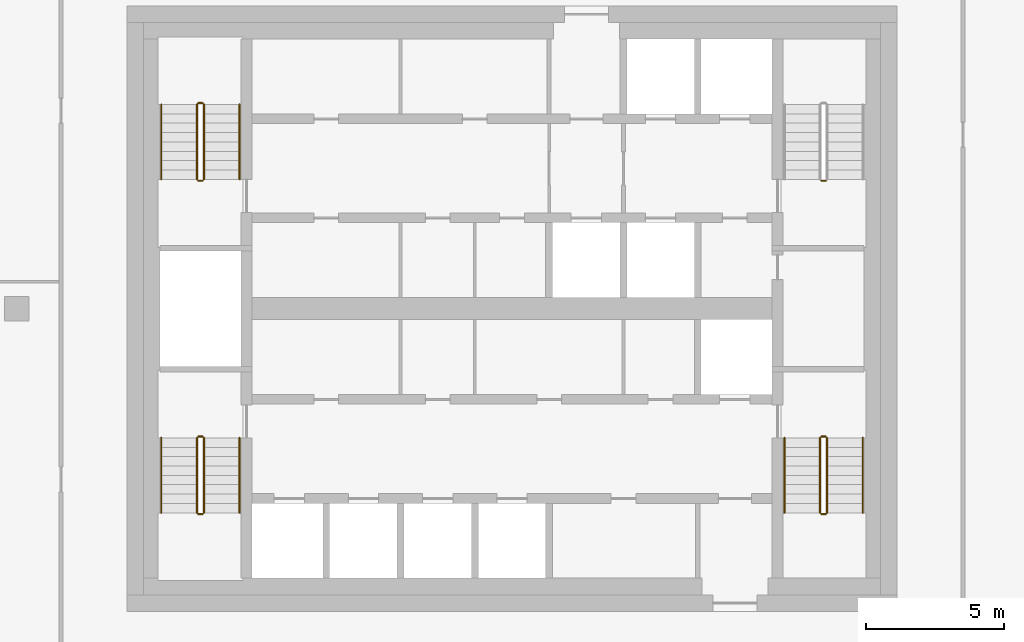
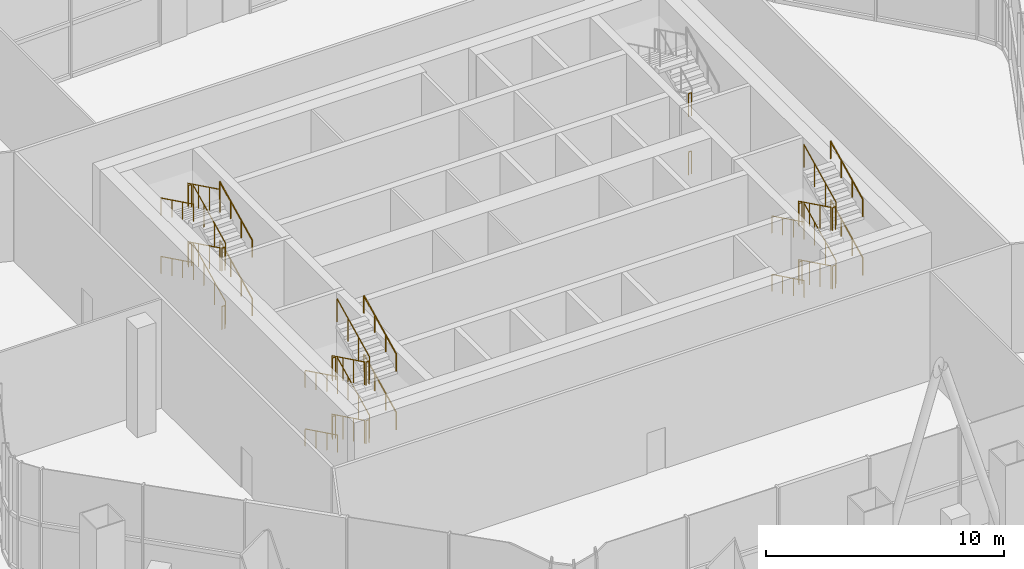
# One storey, part 17 of 20: 38 railings.
"""IFC4 building model written with IfcOpenShell, lengths in metres."""

import ifcopenshell
import ifcopenshell.guid

model = None  # the IFC model being written
_history = None  # IfcOwnerHistory: only IFC2X3 demands one
_inside = {}  # id of a spatial element -> (the spatial element, [elements in it])
_under = {}  # id of a project, library or spatial element -> (it, [spatial elements below it])
_declared = {}  # id of a project -> (the project, [libraries it declares])
_typed = {}  # id of a type object -> (the type object, [elements of that type])
_made_of = {}  # id of a material, layer set ... -> (it, [elements and type objects made of it])


def new_model(schema):
    """Start an empty IFC model of exactly this schema.

    Asked for "IFC4X3", IfcOpenShell would pick the latest addendum, in which some entities
    have other attributes; the version numbers below select the first issue.
    IFC2X3 requires an IfcOwnerHistory on every rooted entity: one is made here for all.
    """
    global model, _history
    if schema == "IFC4X3":
        model = ifcopenshell.file(schema_version=(4, 3, 0, 0))
    else:
        model = ifcopenshell.file(schema=schema)
    _inside.clear()
    _under.clear()
    _declared.clear()
    _typed.clear()
    _made_of.clear()
    _history = None
    if model.schema == "IFC2X3":
        org = make("IfcOrganization", Name="unknown")
        user = make(
            "IfcPersonAndOrganization",
            ThePerson=make("IfcPerson", FamilyName="unknown"),
            TheOrganization=org,
        )
        app = make(
            "IfcApplication",
            ApplicationDeveloper=org,
            Version="unknown",
            ApplicationFullName="unknown",
            ApplicationIdentifier="unknown",
        )
        _history = make(
            "IfcOwnerHistory",
            OwningUser=user,
            OwningApplication=app,
            ChangeAction="ADDED",
            CreationDate=0,
        )
    return model


def make(cls, **values):
    """One entity of the class cls with the attributes given. An attribute that is None is left unset."""
    return model.create_entity(
        cls, **{name: value for name, value in values.items() if value is not None}
    )


def rooted(cls, **values):
    """An entity with a GlobalId (a new one), such as an element, a storey or a relation."""
    return make(cls, GlobalId=ifcopenshell.guid.new(), OwnerHistory=_history, **values)


def si_unit(unit_type, name, prefix=None):
    """IfcSIUnit, for example si_unit("LENGTHUNIT", "METRE", prefix="MILLI")."""
    return make("IfcSIUnit", UnitType=unit_type, Prefix=prefix, Name=name)


def assignment(units):
    """IfcUnitAssignment: the units of a project."""
    return None if units is None else make("IfcUnitAssignment", Units=units)


def point(xyz):
    """IfcCartesianPoint."""
    return None if xyz is None else make("IfcCartesianPoint", Coordinates=xyz)


def direction(xyz):
    """IfcDirection."""
    return None if xyz is None else make("IfcDirection", DirectionRatios=xyz)


def frame(location, z_axis=None, x_axis=None):
    """IfcAxis2Placement3D, a coordinate frame: its origin and axes. An axis left out is left unset."""
    return make(
        "IfcAxis2Placement3D",
        Location=point(location),
        Axis=direction(z_axis),
        RefDirection=direction(x_axis),
    )


def frame_2d(location, x_axis=None):
    """IfcAxis2Placement2D, a coordinate frame in the plane: its origin and x axis."""
    return make(
        "IfcAxis2Placement2D", Location=point(location), RefDirection=direction(x_axis)
    )


def origin():
    """The frame at (0, 0, 0) with its axes left unset."""
    return frame((0.0, 0.0, 0.0))


def origin_2d():
    """The frame at (0, 0) in the plane with its x axis left unset."""
    return frame_2d((0.0, 0.0))


def place(relative_to, where):
    """IfcLocalPlacement: puts the frame where relative to a parent placement (None: the world)."""
    return make(
        "IfcLocalPlacement", PlacementRelTo=relative_to, RelativePlacement=where
    )


def context(
    kind, dimensions, precision=None, world=None, true_north=None, identifier=None
):
    """IfcGeometricRepresentationContext, for example the 3D "Model" context."""
    return make(
        "IfcGeometricRepresentationContext",
        ContextIdentifier=identifier,
        ContextType=kind,
        CoordinateSpaceDimension=dimensions,
        Precision=precision,
        WorldCoordinateSystem=world,
        TrueNorth=true_north,
    )


def subcontext(parent, identifier, kind, view, scale=None):
    """IfcGeometricRepresentationSubContext, for example "Body" below "Model"."""
    return make(
        "IfcGeometricRepresentationSubContext",
        ContextIdentifier=identifier,
        ContextType=kind,
        ParentContext=parent,
        TargetScale=scale,
        TargetView=view,
    )


def project(units=None, contexts=None):
    """IfcProject with its units and contexts."""
    return rooted(
        "IfcProject",
        Name="project",
        RepresentationContexts=contexts,
        UnitsInContext=assignment(units),
    )


def spatial(cls, under=None, at=None, **own):
    """A site, building, storey or space (cls), placed at a placement, below another one or the project."""
    s = rooted(cls, ObjectPlacement=at, **own)
    if under is not None:
        _under.setdefault(under.id(), (under, []))[1].append(s)
    return s


def profile(cls, at=None, kind="AREA", **sizes):
    """A parametric profile (cls). Its sizes go by their IFC names, for example OverallWidth=200.0."""
    return make(cls, ProfileType=kind, Position=at, **sizes)


def circle(**sizes):
    """IfcCircleProfileDef."""
    return profile("IfcCircleProfileDef", **sizes)


def extrude(swept, where, along, depth):
    """IfcExtrudedAreaSolid: the profile swept, set in the frame where, extruded along a direction by depth."""
    return make(
        "IfcExtrudedAreaSolid",
        SweptArea=swept,
        Position=where,
        ExtrudedDirection=direction(along),
        Depth=depth,
    )


def shape(context_of_items, identifier, shape_type, items):
    """IfcShapeRepresentation: the items that make up one representation, for example the "Body"."""
    return make(
        "IfcShapeRepresentation",
        ContextOfItems=context_of_items,
        RepresentationIdentifier=identifier,
        RepresentationType=shape_type,
        Items=items,
    )


def material(Name=None, Category=None):
    """IfcMaterial."""
    return make("IfcMaterial", Name=Name, Category=Category)


def made_of(thing, what):
    """Note that an element or type object is made of a material, layer set ...; save() writes the relation."""
    if what is not None:
        _made_of.setdefault(what.id(), (what, []))[1].append(thing)
    return thing


def type_object(cls, material=None, **own):
    """A type object (cls), such as IfcWallType, which elements share."""
    return made_of(rooted(cls, **own), material)


def element(
    cls,
    number,
    at=None,
    inside=None,
    cuts=None,
    type_object=None,
    material=None,
    context=None,
    identifier="Body",
    shape_type=None,
    held_by="IfcProductDefinitionShape",
    body=None,
    shapes=None,
    **own,
):
    """One element of the class cls, such as IfcWall. Its Tag is "e" and its number.

    at: its placement. inside: the storey or other place that contains it. cuts: it is an
    opening in that element (IfcRelVoidsElement). A single representation is given by context,
    identifier, shape_type and body (its items); several are given by shapes. held_by: the class
    of the entity that holds the representations. save() writes the other relations.
    """
    e = rooted(cls, Tag="e%d" % number, ObjectPlacement=at, **own)
    if body is not None:
        shapes = [shape(context, identifier, shape_type, body)]
    if shapes is not None:
        e.Representation = make(held_by, Representations=shapes)
    if inside is not None:
        _inside.setdefault(inside.id(), (inside, []))[1].append(e)
    if cuts is not None:
        rooted(
            "IfcRelVoidsElement", RelatingBuildingElement=cuts, RelatedOpeningElement=e
        )
    if type_object is not None:
        _typed.setdefault(type_object.id(), (type_object, []))[1].append(e)
    return made_of(e, material)


def aggregate(whole, parts):
    """IfcRelAggregates: a whole, such as a stair, and the parts it consists of."""
    return rooted("IfcRelAggregates", RelatingObject=whole, RelatedObjects=parts)


def save(model, path):
    """Write the relations noted so far, then the file.

    IfcRelAggregates (storeys below a building ...), IfcRelContainedInSpatialStructure (elements
    in a storey), IfcRelDefinesByType, IfcRelAssociatesMaterial and IfcRelDeclares: one each for
    every whole, place, type object, material and project.
    """
    for whole, parts in _under.values():
        aggregate(whole, parts)
    for where, things in _inside.values():
        rooted(
            "IfcRelContainedInSpatialStructure",
            RelatedElements=things,
            RelatingStructure=where,
        )
    for kind, things in _typed.values():
        rooted("IfcRelDefinesByType", RelatedObjects=things, RelatingType=kind)
    for what, things in _made_of.values():
        rooted("IfcRelAssociatesMaterial", RelatedObjects=things, RelatingMaterial=what)
    for by, libraries in _declared.values():
        rooted("IfcRelDeclares", RelatingContext=by, RelatedDefinitions=libraries)
    model.write(path)


model = new_model("IFC4")

# Units and contexts
model_context = context("Model", 3, precision=1e-05, world=origin(), true_north=direction((0.0, 1.0)))
body_context = subcontext(model_context, "Body", "Model", "MODEL_VIEW")
ifc_project = project(units=[si_unit("LENGTHUNIT", "METRE"), si_unit("AREAUNIT", "SQUARE_METRE"), si_unit("VOLUMEUNIT", "CUBIC_METRE"), si_unit("PLANEANGLEUNIT", "RADIAN"), si_unit("MASSUNIT", "GRAM", prefix="KILO")], contexts=[model_context])

# Site, building, storey
site_placement = place(None, origin())
site = spatial("IfcSite", under=ifc_project, at=site_placement, CompositionType="ELEMENT")
building_placement = place(site_placement, origin())
building = spatial("IfcBuilding", under=site, at=building_placement, Name="Dongbaek Canopy Tower", CompositionType="ELEMENT")
storey_placement = place(building_placement, frame((0.0, 0.0, 353.0)))
storey = spatial("IfcBuildingStorey", under=building, at=storey_placement, Name="L76", CompositionType="ELEMENT", Elevation=353.0)

# Railings
ifc_material_1 = material(Name="Stainless steel tube and balusters", Category="steel")
railing_type_1 = type_object("IfcRailingType", Name="Stair guard 1200", PredefinedType="GUARDRAIL", material=ifc_material_1)
for number, where, name in (
    (1, (11.39990234375, 4.64990234375, 3.0), "L76 ST-A stair guard 4"),
    (2, (11.39990234375, 4.64990234375, 0.0), "L76 ST-A stair guard 8"),
):
    element("IfcRailing", number, at=place(storey_placement, frame(where)), inside=storey, type_object=railing_type_1, Name=name, PredefinedType="GUARDRAIL", context=body_context, shape_type="SweptSolid", body=[
        extrude(circle(Radius=0.02392578125, at=origin_2d()), frame((0.0, 0.0, 1.17578125), z_axis=(-1.0, 0.0, 0.0), x_axis=(0.0, -1.0, 0.0)), (0.0, 0.0, 1.0), 0.14990234375),
        extrude(circle(Radius=0.02099609375, at=origin_2d()), origin(), (0.0, 0.0, 1.0), 1.15185546875),
        extrude(circle(Radius=0.02099609375, at=origin_2d()), frame((-0.14990234375, 0.0, 0.0)), (0.0, 0.0, 1.0), 1.15185546875),
    ])
railing_1_placement = place(storey_placement, frame((-11.199951171875, 4.699951171875, 0.166748046875)))
element("IfcRailing", 3, at=railing_1_placement, inside=storey, type_object=railing_type_1, Name="L76 ST-C stair guard 1", PredefinedType="GUARDRAIL", context=body_context, shape_type="SweptSolid", body=[
    extrude(circle(Radius=0.02392578125, at=origin_2d()), frame((0.0, 0.0, 1.17578125), z_axis=(0.0, 0.897929466783, 0.4401393787), x_axis=(-1.0, 0.0, 0.0)), (0.0, 0.0, 1.0), 3.029052734375),
    extrude(circle(Radius=0.02099609375, at=origin_2d()), origin(), (0.0, 0.0, 1.0), 1.15185546875),
    extrude(circle(Radius=0.02099609375, at=origin_2d()), frame((0.0, 0.90673828125, 0.4443359375)), (0.0, 0.0, 1.0), 1.15185546875),
    extrude(circle(Radius=0.02099609375, at=origin_2d()), frame((0.0, 1.813232421875, 0.888916015625)), (0.0, 0.0, 1.0), 1.15185546875),
    extrude(circle(Radius=0.02099609375, at=origin_2d()), frame((0.0, 2.719970703125, 1.333251953125)), (0.0, 0.0, 1.0), 1.15185546875),
])
railing_2_placement = place(storey_placement, frame((-11.25, 7.469970703125, 1.5)))
element("IfcRailing", 4, at=railing_2_placement, inside=storey, type_object=railing_type_1, Name="L76 ST-C stair guard 2", PredefinedType="GUARDRAIL", context=body_context, shape_type="SweptSolid", body=[
    extrude(circle(Radius=0.02392578125, at=origin_2d()), frame((0.0, 0.0, 1.17578125), z_axis=(-1.0, 0.0, 0.0), x_axis=(0.0, -1.0, 0.0)), (0.0, 0.0, 1.0), 0.14990234375),
    extrude(circle(Radius=0.02099609375, at=origin_2d()), origin(), (0.0, 0.0, 1.0), 1.15185546875),
    extrude(circle(Radius=0.02099609375, at=origin_2d()), frame((-0.14990234375, 0.0, 0.0)), (0.0, 0.0, 1.0), 1.15185546875),
])
railing_3_placement = place(storey_placement, frame((-11.449951171875, 7.419921875, 1.666748046875)))
element("IfcRailing", 5, at=railing_3_placement, inside=storey, type_object=railing_type_1, Name="L76 ST-C stair guard 3", PredefinedType="GUARDRAIL", context=body_context, shape_type="SweptSolid", body=[
    extrude(circle(Radius=0.02392578125, at=origin_2d()), frame((0.0, 0.0, 1.17578125), z_axis=(0.0, -0.897929466783, 0.4401393787), x_axis=(1.0, 0.0, 0.0)), (0.0, 0.0, 1.0), 3.029052734375),
    extrude(circle(Radius=0.02099609375, at=origin_2d()), origin(), (0.0, 0.0, 1.0), 1.15185546875),
    extrude(circle(Radius=0.02099609375, at=origin_2d()), frame((0.0, -0.90673828125, 0.4443359375)), (0.0, 0.0, 1.0), 1.15185546875),
    extrude(circle(Radius=0.02099609375, at=origin_2d()), frame((0.0, -1.813232421875, 0.888916015625)), (0.0, 0.0, 1.0), 1.15185546875),
    extrude(circle(Radius=0.02099609375, at=origin_2d()), frame((0.0, -2.719970703125, 1.333251953125)), (0.0, 0.0, 1.0), 1.15185546875),
])
railing_4_placement = place(storey_placement, frame((-11.25, 4.64990234375, 3.0)))
element("IfcRailing", 6, at=railing_4_placement, inside=storey, type_object=railing_type_1, Name="L76 ST-C stair guard 4", PredefinedType="GUARDRAIL", context=body_context, shape_type="SweptSolid", body=[
    extrude(circle(Radius=0.02392578125, at=origin_2d()), frame((0.0, 0.0, 1.17578125), z_axis=(-1.0, 0.0, 0.0), x_axis=(0.0, -1.0, 0.0)), (0.0, 0.0, 1.0), 0.14990234375),
    extrude(circle(Radius=0.02099609375, at=origin_2d()), origin(), (0.0, 0.0, 1.0), 1.15185546875),
    extrude(circle(Radius=0.02099609375, at=origin_2d()), frame((-0.14990234375, 0.0, 0.0)), (0.0, 0.0, 1.0), 1.15185546875),
])
railing_5_placement = place(storey_placement, frame((-11.199951171875, 4.699951171875, 3.166748046875)))
element("IfcRailing", 7, at=railing_5_placement, inside=storey, type_object=railing_type_1, Name="L76 ST-C stair guard 5", PredefinedType="GUARDRAIL", context=body_context, shape_type="SweptSolid", body=[
    extrude(circle(Radius=0.02392578125, at=origin_2d()), frame((0.0, 0.0, 1.17578125), z_axis=(0.0, 0.897929466783, 0.4401393787), x_axis=(-1.0, 0.0, 0.0)), (0.0, 0.0, 1.0), 3.029052734375),
    extrude(circle(Radius=0.02099609375, at=origin_2d()), origin(), (0.0, 0.0, 1.0), 1.15185546875),
    extrude(circle(Radius=0.02099609375, at=origin_2d()), frame((0.0, 0.90673828125, 0.4443359375)), (0.0, 0.0, 1.0), 1.15185546875),
    extrude(circle(Radius=0.02099609375, at=origin_2d()), frame((0.0, 1.813232421875, 0.888916015625)), (0.0, 0.0, 1.0), 1.15185546875),
    extrude(circle(Radius=0.02099609375, at=origin_2d()), frame((0.0, 2.719970703125, 1.333251953125)), (0.0, 0.0, 1.0), 1.15185546875),
])
railing_6_placement = place(storey_placement, frame((-11.25, 7.469970703125, 4.5)))
element("IfcRailing", 8, at=railing_6_placement, inside=storey, type_object=railing_type_1, Name="L76 ST-C stair guard 6", PredefinedType="GUARDRAIL", context=body_context, shape_type="SweptSolid", body=[
    extrude(circle(Radius=0.02392578125, at=origin_2d()), frame((0.0, 0.0, 1.17578125), z_axis=(-1.0, 0.0, 0.0), x_axis=(0.0, -1.0, 0.0)), (0.0, 0.0, 1.0), 0.14990234375),
    extrude(circle(Radius=0.02099609375, at=origin_2d()), origin(), (0.0, 0.0, 1.0), 1.15185546875),
    extrude(circle(Radius=0.02099609375, at=origin_2d()), frame((-0.14990234375, 0.0, 0.0)), (0.0, 0.0, 1.0), 1.15185546875),
])
railing_7_placement = place(storey_placement, frame((-11.449951171875, 7.419921875, 4.666748046875)))
element("IfcRailing", 9, at=railing_7_placement, inside=storey, type_object=railing_type_1, Name="L76 ST-C stair guard 7", PredefinedType="GUARDRAIL", context=body_context, shape_type="SweptSolid", body=[
    extrude(circle(Radius=0.02392578125, at=origin_2d()), frame((0.0, 0.0, 1.17578125), z_axis=(0.0, -0.897929466783, 0.4401393787), x_axis=(1.0, 0.0, 0.0)), (0.0, 0.0, 1.0), 3.029052734375),
    extrude(circle(Radius=0.02099609375, at=origin_2d()), origin(), (0.0, 0.0, 1.0), 1.15185546875),
    extrude(circle(Radius=0.02099609375, at=origin_2d()), frame((0.0, -0.90673828125, 0.4443359375)), (0.0, 0.0, 1.0), 1.15185546875),
    extrude(circle(Radius=0.02099609375, at=origin_2d()), frame((0.0, -1.813232421875, 0.888916015625)), (0.0, 0.0, 1.0), 1.15185546875),
    extrude(circle(Radius=0.02099609375, at=origin_2d()), frame((0.0, -2.719970703125, 1.333251953125)), (0.0, 0.0, 1.0), 1.15185546875),
])
railing_8_placement = place(storey_placement, frame((-11.25, 4.64990234375, 0.0)))
element("IfcRailing", 10, at=railing_8_placement, inside=storey, type_object=railing_type_1, Name="L76 ST-C stair guard 8", PredefinedType="GUARDRAIL", context=body_context, shape_type="SweptSolid", body=[
    extrude(circle(Radius=0.02392578125, at=origin_2d()), frame((0.0, 0.0, 1.17578125), z_axis=(-1.0, 0.0, 0.0), x_axis=(0.0, -1.0, 0.0)), (0.0, 0.0, 1.0), 0.14990234375),
    extrude(circle(Radius=0.02099609375, at=origin_2d()), origin(), (0.0, 0.0, 1.0), 1.15185546875),
    extrude(circle(Radius=0.02099609375, at=origin_2d()), frame((-0.14990234375, 0.0, 0.0)), (0.0, 0.0, 1.0), 1.15185546875),
])
railing_9_placement = place(storey_placement, frame((11.199951171875, -4.699951171875, 0.166748046875)))
element("IfcRailing", 11, at=railing_9_placement, inside=storey, type_object=railing_type_1, Name="L76 ST-B stair guard 1", PredefinedType="GUARDRAIL", context=body_context, shape_type="SweptSolid", body=[
    extrude(circle(Radius=0.02392578125, at=origin_2d()), frame((0.0, 0.0, 1.17578125), z_axis=(0.0, -0.897929466783, 0.4401393787), x_axis=(1.0, 0.0, 0.0)), (0.0, 0.0, 1.0), 3.029052734375),
    extrude(circle(Radius=0.02099609375, at=origin_2d()), origin(), (0.0, 0.0, 1.0), 1.15185546875),
    extrude(circle(Radius=0.02099609375, at=origin_2d()), frame((0.0, -0.90673828125, 0.4443359375)), (0.0, 0.0, 1.0), 1.15185546875),
    extrude(circle(Radius=0.02099609375, at=origin_2d()), frame((0.0, -1.813232421875, 0.888916015625)), (0.0, 0.0, 1.0), 1.15185546875),
    extrude(circle(Radius=0.02099609375, at=origin_2d()), frame((0.0, -2.719970703125, 1.333251953125)), (0.0, 0.0, 1.0), 1.15185546875),
])
railing_10_placement = place(storey_placement, frame((11.25, -7.469970703125, 1.5)))
element("IfcRailing", 12, at=railing_10_placement, inside=storey, type_object=railing_type_1, Name="L76 ST-B stair guard 2", PredefinedType="GUARDRAIL", context=body_context, shape_type="SweptSolid", body=[
    extrude(circle(Radius=0.02392578125, at=origin_2d()), frame((0.0, 0.0, 1.17578125), z_axis=(1.0, 0.0, 0.0), x_axis=(0.0, 1.0, 0.0)), (0.0, 0.0, 1.0), 0.14990234375),
    extrude(circle(Radius=0.02099609375, at=origin_2d()), origin(), (0.0, 0.0, 1.0), 1.15185546875),
    extrude(circle(Radius=0.02099609375, at=origin_2d()), frame((0.14990234375, 0.0, 0.0)), (0.0, 0.0, 1.0), 1.15185546875),
])
railing_11_placement = place(storey_placement, frame((11.449951171875, -7.419921875, 1.666748046875)))
element("IfcRailing", 13, at=railing_11_placement, inside=storey, type_object=railing_type_1, Name="L76 ST-B stair guard 3", PredefinedType="GUARDRAIL", context=body_context, shape_type="SweptSolid", body=[
    extrude(circle(Radius=0.02392578125, at=origin_2d()), frame((0.0, 0.0, 1.17578125), z_axis=(0.0, 0.897929466783, 0.4401393787), x_axis=(-1.0, 0.0, 0.0)), (0.0, 0.0, 1.0), 3.029052734375),
    extrude(circle(Radius=0.02099609375, at=origin_2d()), origin(), (0.0, 0.0, 1.0), 1.15185546875),
    extrude(circle(Radius=0.02099609375, at=origin_2d()), frame((0.0, 0.90673828125, 0.4443359375)), (0.0, 0.0, 1.0), 1.15185546875),
    extrude(circle(Radius=0.02099609375, at=origin_2d()), frame((0.0, 1.813232421875, 0.888916015625)), (0.0, 0.0, 1.0), 1.15185546875),
    extrude(circle(Radius=0.02099609375, at=origin_2d()), frame((0.0, 2.719970703125, 1.333251953125)), (0.0, 0.0, 1.0), 1.15185546875),
])
railing_12_placement = place(storey_placement, frame((11.25, -4.64990234375, 3.0)))
element("IfcRailing", 14, at=railing_12_placement, inside=storey, type_object=railing_type_1, Name="L76 ST-B stair guard 4", PredefinedType="GUARDRAIL", context=body_context, shape_type="SweptSolid", body=[
    extrude(circle(Radius=0.02392578125, at=origin_2d()), frame((0.0, 0.0, 1.17578125), z_axis=(1.0, 0.0, 0.0), x_axis=(0.0, 1.0, 0.0)), (0.0, 0.0, 1.0), 0.14990234375),
    extrude(circle(Radius=0.02099609375, at=origin_2d()), origin(), (0.0, 0.0, 1.0), 1.15185546875),
    extrude(circle(Radius=0.02099609375, at=origin_2d()), frame((0.14990234375, 0.0, 0.0)), (0.0, 0.0, 1.0), 1.15185546875),
])
railing_13_placement = place(storey_placement, frame((11.199951171875, -4.699951171875, 3.166748046875)))
element("IfcRailing", 15, at=railing_13_placement, inside=storey, type_object=railing_type_1, Name="L76 ST-B stair guard 5", PredefinedType="GUARDRAIL", context=body_context, shape_type="SweptSolid", body=[
    extrude(circle(Radius=0.02392578125, at=origin_2d()), frame((0.0, 0.0, 1.17578125), z_axis=(0.0, -0.897929466783, 0.4401393787), x_axis=(1.0, 0.0, 0.0)), (0.0, 0.0, 1.0), 3.029052734375),
    extrude(circle(Radius=0.02099609375, at=origin_2d()), origin(), (0.0, 0.0, 1.0), 1.15185546875),
    extrude(circle(Radius=0.02099609375, at=origin_2d()), frame((0.0, -0.90673828125, 0.4443359375)), (0.0, 0.0, 1.0), 1.15185546875),
    extrude(circle(Radius=0.02099609375, at=origin_2d()), frame((0.0, -1.813232421875, 0.888916015625)), (0.0, 0.0, 1.0), 1.15185546875),
    extrude(circle(Radius=0.02099609375, at=origin_2d()), frame((0.0, -2.719970703125, 1.333251953125)), (0.0, 0.0, 1.0), 1.15185546875),
])
railing_14_placement = place(storey_placement, frame((11.25, -7.469970703125, 4.5)))
element("IfcRailing", 16, at=railing_14_placement, inside=storey, type_object=railing_type_1, Name="L76 ST-B stair guard 6", PredefinedType="GUARDRAIL", context=body_context, shape_type="SweptSolid", body=[
    extrude(circle(Radius=0.02392578125, at=origin_2d()), frame((0.0, 0.0, 1.17578125), z_axis=(1.0, 0.0, 0.0), x_axis=(0.0, 1.0, 0.0)), (0.0, 0.0, 1.0), 0.14990234375),
    extrude(circle(Radius=0.02099609375, at=origin_2d()), origin(), (0.0, 0.0, 1.0), 1.15185546875),
    extrude(circle(Radius=0.02099609375, at=origin_2d()), frame((0.14990234375, 0.0, 0.0)), (0.0, 0.0, 1.0), 1.15185546875),
])
railing_15_placement = place(storey_placement, frame((11.449951171875, -7.419921875, 4.666748046875)))
element("IfcRailing", 17, at=railing_15_placement, inside=storey, type_object=railing_type_1, Name="L76 ST-B stair guard 7", PredefinedType="GUARDRAIL", context=body_context, shape_type="SweptSolid", body=[
    extrude(circle(Radius=0.02392578125, at=origin_2d()), frame((0.0, 0.0, 1.17578125), z_axis=(0.0, 0.897929466783, 0.4401393787), x_axis=(-1.0, 0.0, 0.0)), (0.0, 0.0, 1.0), 3.029052734375),
    extrude(circle(Radius=0.02099609375, at=origin_2d()), origin(), (0.0, 0.0, 1.0), 1.15185546875),
    extrude(circle(Radius=0.02099609375, at=origin_2d()), frame((0.0, 0.90673828125, 0.4443359375)), (0.0, 0.0, 1.0), 1.15185546875),
    extrude(circle(Radius=0.02099609375, at=origin_2d()), frame((0.0, 1.813232421875, 0.888916015625)), (0.0, 0.0, 1.0), 1.15185546875),
    extrude(circle(Radius=0.02099609375, at=origin_2d()), frame((0.0, 2.719970703125, 1.333251953125)), (0.0, 0.0, 1.0), 1.15185546875),
])
railing_16_placement = place(storey_placement, frame((11.25, -4.64990234375, 0.0)))
element("IfcRailing", 18, at=railing_16_placement, inside=storey, type_object=railing_type_1, Name="L76 ST-B stair guard 8", PredefinedType="GUARDRAIL", context=body_context, shape_type="SweptSolid", body=[
    extrude(circle(Radius=0.02392578125, at=origin_2d()), frame((0.0, 0.0, 1.17578125), z_axis=(1.0, 0.0, 0.0), x_axis=(0.0, 1.0, 0.0)), (0.0, 0.0, 1.0), 0.14990234375),
    extrude(circle(Radius=0.02099609375, at=origin_2d()), origin(), (0.0, 0.0, 1.0), 1.15185546875),
    extrude(circle(Radius=0.02099609375, at=origin_2d()), frame((0.14990234375, 0.0, 0.0)), (0.0, 0.0, 1.0), 1.15185546875),
])
railing_17_placement = place(storey_placement, frame((-11.449951171875, -4.699951171875, 0.166748046875)))
element("IfcRailing", 19, at=railing_17_placement, inside=storey, type_object=railing_type_1, Name="L76 ST-D stair guard 1", PredefinedType="GUARDRAIL", context=body_context, shape_type="SweptSolid", body=[
    extrude(circle(Radius=0.02392578125, at=origin_2d()), frame((0.0, 0.0, 1.17578125), z_axis=(0.0, -0.897929466783, 0.4401393787), x_axis=(1.0, 0.0, 0.0)), (0.0, 0.0, 1.0), 3.029052734375),
    extrude(circle(Radius=0.02099609375, at=origin_2d()), origin(), (0.0, 0.0, 1.0), 1.15185546875),
    extrude(circle(Radius=0.02099609375, at=origin_2d()), frame((0.0, -0.90673828125, 0.4443359375)), (0.0, 0.0, 1.0), 1.15185546875),
    extrude(circle(Radius=0.02099609375, at=origin_2d()), frame((0.0, -1.813232421875, 0.888916015625)), (0.0, 0.0, 1.0), 1.15185546875),
    extrude(circle(Radius=0.02099609375, at=origin_2d()), frame((0.0, -2.719970703125, 1.333251953125)), (0.0, 0.0, 1.0), 1.15185546875),
])
railing_18_placement = place(storey_placement, frame((-11.39990234375, -7.469970703125, 1.5)))
element("IfcRailing", 20, at=railing_18_placement, inside=storey, type_object=railing_type_1, Name="L76 ST-D stair guard 2", PredefinedType="GUARDRAIL", context=body_context, shape_type="SweptSolid", body=[
    extrude(circle(Radius=0.02392578125, at=origin_2d()), frame((0.0, 0.0, 1.17578125), z_axis=(1.0, 0.0, 0.0), x_axis=(0.0, 1.0, 0.0)), (0.0, 0.0, 1.0), 0.14990234375),
    extrude(circle(Radius=0.02099609375, at=origin_2d()), origin(), (0.0, 0.0, 1.0), 1.15185546875),
    extrude(circle(Radius=0.02099609375, at=origin_2d()), frame((0.14990234375, 0.0, 0.0)), (0.0, 0.0, 1.0), 1.15185546875),
])
railing_19_placement = place(storey_placement, frame((-11.199951171875, -7.419921875, 1.666748046875)))
element("IfcRailing", 21, at=railing_19_placement, inside=storey, type_object=railing_type_1, Name="L76 ST-D stair guard 3", PredefinedType="GUARDRAIL", context=body_context, shape_type="SweptSolid", body=[
    extrude(circle(Radius=0.02392578125, at=origin_2d()), frame((0.0, 0.0, 1.17578125), z_axis=(0.0, 0.897929466783, 0.4401393787), x_axis=(-1.0, 0.0, 0.0)), (0.0, 0.0, 1.0), 3.029052734375),
    extrude(circle(Radius=0.02099609375, at=origin_2d()), origin(), (0.0, 0.0, 1.0), 1.15185546875),
    extrude(circle(Radius=0.02099609375, at=origin_2d()), frame((0.0, 0.90673828125, 0.4443359375)), (0.0, 0.0, 1.0), 1.15185546875),
    extrude(circle(Radius=0.02099609375, at=origin_2d()), frame((0.0, 1.813232421875, 0.888916015625)), (0.0, 0.0, 1.0), 1.15185546875),
    extrude(circle(Radius=0.02099609375, at=origin_2d()), frame((0.0, 2.719970703125, 1.333251953125)), (0.0, 0.0, 1.0), 1.15185546875),
])
railing_20_placement = place(storey_placement, frame((-11.39990234375, -4.64990234375, 3.0)))
element("IfcRailing", 22, at=railing_20_placement, inside=storey, type_object=railing_type_1, Name="L76 ST-D stair guard 4", PredefinedType="GUARDRAIL", context=body_context, shape_type="SweptSolid", body=[
    extrude(circle(Radius=0.02392578125, at=origin_2d()), frame((0.0, 0.0, 1.17578125), z_axis=(1.0, 0.0, 0.0), x_axis=(0.0, 1.0, 0.0)), (0.0, 0.0, 1.0), 0.14990234375),
    extrude(circle(Radius=0.02099609375, at=origin_2d()), origin(), (0.0, 0.0, 1.0), 1.15185546875),
    extrude(circle(Radius=0.02099609375, at=origin_2d()), frame((0.14990234375, 0.0, 0.0)), (0.0, 0.0, 1.0), 1.15185546875),
])
railing_21_placement = place(storey_placement, frame((-11.449951171875, -4.699951171875, 3.166748046875)))
element("IfcRailing", 23, at=railing_21_placement, inside=storey, type_object=railing_type_1, Name="L76 ST-D stair guard 5", PredefinedType="GUARDRAIL", context=body_context, shape_type="SweptSolid", body=[
    extrude(circle(Radius=0.02392578125, at=origin_2d()), frame((0.0, 0.0, 1.17578125), z_axis=(0.0, -0.897929466783, 0.4401393787), x_axis=(1.0, 0.0, 0.0)), (0.0, 0.0, 1.0), 3.029052734375),
    extrude(circle(Radius=0.02099609375, at=origin_2d()), origin(), (0.0, 0.0, 1.0), 1.15185546875),
    extrude(circle(Radius=0.02099609375, at=origin_2d()), frame((0.0, -0.90673828125, 0.4443359375)), (0.0, 0.0, 1.0), 1.15185546875),
    extrude(circle(Radius=0.02099609375, at=origin_2d()), frame((0.0, -1.813232421875, 0.888916015625)), (0.0, 0.0, 1.0), 1.15185546875),
    extrude(circle(Radius=0.02099609375, at=origin_2d()), frame((0.0, -2.719970703125, 1.333251953125)), (0.0, 0.0, 1.0), 1.15185546875),
])
railing_22_placement = place(storey_placement, frame((-11.39990234375, -7.469970703125, 4.5)))
element("IfcRailing", 24, at=railing_22_placement, inside=storey, type_object=railing_type_1, Name="L76 ST-D stair guard 6", PredefinedType="GUARDRAIL", context=body_context, shape_type="SweptSolid", body=[
    extrude(circle(Radius=0.02392578125, at=origin_2d()), frame((0.0, 0.0, 1.17578125), z_axis=(1.0, 0.0, 0.0), x_axis=(0.0, 1.0, 0.0)), (0.0, 0.0, 1.0), 0.14990234375),
    extrude(circle(Radius=0.02099609375, at=origin_2d()), origin(), (0.0, 0.0, 1.0), 1.15185546875),
    extrude(circle(Radius=0.02099609375, at=origin_2d()), frame((0.14990234375, 0.0, 0.0)), (0.0, 0.0, 1.0), 1.15185546875),
])
railing_23_placement = place(storey_placement, frame((-11.199951171875, -7.419921875, 4.666748046875)))
element("IfcRailing", 25, at=railing_23_placement, inside=storey, type_object=railing_type_1, Name="L76 ST-D stair guard 7", PredefinedType="GUARDRAIL", context=body_context, shape_type="SweptSolid", body=[
    extrude(circle(Radius=0.02392578125, at=origin_2d()), frame((0.0, 0.0, 1.17578125), z_axis=(0.0, 0.897929466783, 0.4401393787), x_axis=(-1.0, 0.0, 0.0)), (0.0, 0.0, 1.0), 3.029052734375),
    extrude(circle(Radius=0.02099609375, at=origin_2d()), origin(), (0.0, 0.0, 1.0), 1.15185546875),
    extrude(circle(Radius=0.02099609375, at=origin_2d()), frame((0.0, 0.90673828125, 0.4443359375)), (0.0, 0.0, 1.0), 1.15185546875),
    extrude(circle(Radius=0.02099609375, at=origin_2d()), frame((0.0, 1.813232421875, 0.888916015625)), (0.0, 0.0, 1.0), 1.15185546875),
    extrude(circle(Radius=0.02099609375, at=origin_2d()), frame((0.0, 2.719970703125, 1.333251953125)), (0.0, 0.0, 1.0), 1.15185546875),
])
railing_24_placement = place(storey_placement, frame((-11.39990234375, -4.64990234375, 0.0)))
element("IfcRailing", 26, at=railing_24_placement, inside=storey, type_object=railing_type_1, Name="L76 ST-D stair guard 8", PredefinedType="GUARDRAIL", context=body_context, shape_type="SweptSolid", body=[
    extrude(circle(Radius=0.02392578125, at=origin_2d()), frame((0.0, 0.0, 1.17578125), z_axis=(1.0, 0.0, 0.0), x_axis=(0.0, 1.0, 0.0)), (0.0, 0.0, 1.0), 0.14990234375),
    extrude(circle(Radius=0.02099609375, at=origin_2d()), origin(), (0.0, 0.0, 1.0), 1.15185546875),
    extrude(circle(Radius=0.02099609375, at=origin_2d()), frame((0.14990234375, 0.0, 0.0)), (0.0, 0.0, 1.0), 1.15185546875),
])
ifc_material_2 = material(Name="Stainless steel tube", Category="steel")
railing_type_2 = type_object("IfcRailingType", Name="Stair handrail 900", PredefinedType="HANDRAIL", material=ifc_material_2)
railing_25_placement = place(storey_placement, frame((-9.89990234375, 4.699951171875, 0.166748046875)))
element("IfcRailing", 27, at=railing_25_placement, inside=storey, type_object=railing_type_2, Name="L76 ST-C stair handrail 1", PredefinedType="HANDRAIL", context=body_context, shape_type="SweptSolid", body=[
    extrude(circle(Radius=0.02392578125, at=origin_2d()), frame((0.0, 0.0, 0.8759765625), z_axis=(0.0, 0.897929466783, 0.4401393787), x_axis=(-1.0, 0.0, 0.0)), (0.0, 0.0, 1.0), 3.029052734375),
    extrude(circle(Radius=0.02099609375, at=origin_2d()), origin(), (0.0, 0.0, 1.0), 0.851806640625),
    extrude(circle(Radius=0.02099609375, at=origin_2d()), frame((0.0, 0.90673828125, 0.4443359375)), (0.0, 0.0, 1.0), 0.851806640625),
    extrude(circle(Radius=0.02099609375, at=origin_2d()), frame((0.0, 1.813232421875, 0.888916015625)), (0.0, 0.0, 1.0), 0.851806640625),
    extrude(circle(Radius=0.02099609375, at=origin_2d()), frame((0.0, 2.719970703125, 1.333251953125)), (0.0, 0.0, 1.0), 0.851806640625),
])
railing_26_placement = place(storey_placement, frame((-12.75, 7.419921875, 1.666748046875)))
element("IfcRailing", 28, at=railing_26_placement, inside=storey, type_object=railing_type_2, Name="L76 ST-C stair handrail 2", PredefinedType="HANDRAIL", context=body_context, shape_type="SweptSolid", body=[
    extrude(circle(Radius=0.02392578125, at=origin_2d()), frame((0.0, 0.0, 0.8759765625), z_axis=(0.0, -0.897929466783, 0.4401393787), x_axis=(1.0, 0.0, 0.0)), (0.0, 0.0, 1.0), 3.029052734375),
    extrude(circle(Radius=0.02099609375, at=origin_2d()), origin(), (0.0, 0.0, 1.0), 0.851806640625),
    extrude(circle(Radius=0.02099609375, at=origin_2d()), frame((0.0, -0.90673828125, 0.4443359375)), (0.0, 0.0, 1.0), 0.851806640625),
    extrude(circle(Radius=0.02099609375, at=origin_2d()), frame((0.0, -1.813232421875, 0.888916015625)), (0.0, 0.0, 1.0), 0.851806640625),
    extrude(circle(Radius=0.02099609375, at=origin_2d()), frame((0.0, -2.719970703125, 1.333251953125)), (0.0, 0.0, 1.0), 0.851806640625),
])
railing_27_placement = place(storey_placement, frame((-9.89990234375, 4.699951171875, 3.166748046875)))
element("IfcRailing", 29, at=railing_27_placement, inside=storey, type_object=railing_type_2, Name="L76 ST-C stair handrail 3", PredefinedType="HANDRAIL", context=body_context, shape_type="SweptSolid", body=[
    extrude(circle(Radius=0.02392578125, at=origin_2d()), frame((0.0, 0.0, 0.8759765625), z_axis=(0.0, 0.897929466783, 0.4401393787), x_axis=(-1.0, 0.0, 0.0)), (0.0, 0.0, 1.0), 3.029052734375),
    extrude(circle(Radius=0.02099609375, at=origin_2d()), origin(), (0.0, 0.0, 1.0), 0.851806640625),
    extrude(circle(Radius=0.02099609375, at=origin_2d()), frame((0.0, 0.90673828125, 0.4443359375)), (0.0, 0.0, 1.0), 0.851806640625),
    extrude(circle(Radius=0.02099609375, at=origin_2d()), frame((0.0, 1.813232421875, 0.888916015625)), (0.0, 0.0, 1.0), 0.851806640625),
    extrude(circle(Radius=0.02099609375, at=origin_2d()), frame((0.0, 2.719970703125, 1.333251953125)), (0.0, 0.0, 1.0), 0.851806640625),
])
for number, where, name in (
    (30, (-12.75, 7.419921875, 4.666748046875), "L76 ST-C stair handrail 4"),
    (31, (9.89990234375, -4.699951171875, 0.166748046875), "L76 ST-B stair handrail 1"),
):
    element("IfcRailing", number, at=place(storey_placement, frame(where)), inside=storey, type_object=railing_type_2, Name=name, PredefinedType="HANDRAIL", context=body_context, shape_type="SweptSolid", body=[
        extrude(circle(Radius=0.02392578125, at=origin_2d()), frame((0.0, 0.0, 0.8759765625), z_axis=(0.0, -0.897929466783, 0.4401393787), x_axis=(1.0, 0.0, 0.0)), (0.0, 0.0, 1.0), 3.029052734375),
        extrude(circle(Radius=0.02099609375, at=origin_2d()), origin(), (0.0, 0.0, 1.0), 0.851806640625),
        extrude(circle(Radius=0.02099609375, at=origin_2d()), frame((0.0, -0.90673828125, 0.4443359375)), (0.0, 0.0, 1.0), 0.851806640625),
        extrude(circle(Radius=0.02099609375, at=origin_2d()), frame((0.0, -1.813232421875, 0.888916015625)), (0.0, 0.0, 1.0), 0.851806640625),
        extrude(circle(Radius=0.02099609375, at=origin_2d()), frame((0.0, -2.719970703125, 1.333251953125)), (0.0, 0.0, 1.0), 0.851806640625),
    ])
railing_28_placement = place(storey_placement, frame((12.75, -7.419921875, 1.666748046875)))
element("IfcRailing", 32, at=railing_28_placement, inside=storey, type_object=railing_type_2, Name="L76 ST-B stair handrail 2", PredefinedType="HANDRAIL", context=body_context, shape_type="SweptSolid", body=[
    extrude(circle(Radius=0.02392578125, at=origin_2d()), frame((0.0, 0.0, 0.8759765625), z_axis=(0.0, 0.897929466783, 0.4401393787), x_axis=(-1.0, 0.0, 0.0)), (0.0, 0.0, 1.0), 3.029052734375),
    extrude(circle(Radius=0.02099609375, at=origin_2d()), origin(), (0.0, 0.0, 1.0), 0.851806640625),
    extrude(circle(Radius=0.02099609375, at=origin_2d()), frame((0.0, 0.90673828125, 0.4443359375)), (0.0, 0.0, 1.0), 0.851806640625),
    extrude(circle(Radius=0.02099609375, at=origin_2d()), frame((0.0, 1.813232421875, 0.888916015625)), (0.0, 0.0, 1.0), 0.851806640625),
    extrude(circle(Radius=0.02099609375, at=origin_2d()), frame((0.0, 2.719970703125, 1.333251953125)), (0.0, 0.0, 1.0), 0.851806640625),
])
railing_29_placement = place(storey_placement, frame((9.89990234375, -4.699951171875, 3.166748046875)))
element("IfcRailing", 33, at=railing_29_placement, inside=storey, type_object=railing_type_2, Name="L76 ST-B stair handrail 3", PredefinedType="HANDRAIL", context=body_context, shape_type="SweptSolid", body=[
    extrude(circle(Radius=0.02392578125, at=origin_2d()), frame((0.0, 0.0, 0.8759765625), z_axis=(0.0, -0.897929466783, 0.4401393787), x_axis=(1.0, 0.0, 0.0)), (0.0, 0.0, 1.0), 3.029052734375),
    extrude(circle(Radius=0.02099609375, at=origin_2d()), origin(), (0.0, 0.0, 1.0), 0.851806640625),
    extrude(circle(Radius=0.02099609375, at=origin_2d()), frame((0.0, -0.90673828125, 0.4443359375)), (0.0, 0.0, 1.0), 0.851806640625),
    extrude(circle(Radius=0.02099609375, at=origin_2d()), frame((0.0, -1.813232421875, 0.888916015625)), (0.0, 0.0, 1.0), 0.851806640625),
    extrude(circle(Radius=0.02099609375, at=origin_2d()), frame((0.0, -2.719970703125, 1.333251953125)), (0.0, 0.0, 1.0), 0.851806640625),
])
railing_30_placement = place(storey_placement, frame((12.75, -7.419921875, 4.666748046875)))
element("IfcRailing", 34, at=railing_30_placement, inside=storey, type_object=railing_type_2, Name="L76 ST-B stair handrail 4", PredefinedType="HANDRAIL", context=body_context, shape_type="SweptSolid", body=[
    extrude(circle(Radius=0.02392578125, at=origin_2d()), frame((0.0, 0.0, 0.8759765625), z_axis=(0.0, 0.897929466783, 0.4401393787), x_axis=(-1.0, 0.0, 0.0)), (0.0, 0.0, 1.0), 3.029052734375),
    extrude(circle(Radius=0.02099609375, at=origin_2d()), origin(), (0.0, 0.0, 1.0), 0.851806640625),
    extrude(circle(Radius=0.02099609375, at=origin_2d()), frame((0.0, 0.90673828125, 0.4443359375)), (0.0, 0.0, 1.0), 0.851806640625),
    extrude(circle(Radius=0.02099609375, at=origin_2d()), frame((0.0, 1.813232421875, 0.888916015625)), (0.0, 0.0, 1.0), 0.851806640625),
    extrude(circle(Radius=0.02099609375, at=origin_2d()), frame((0.0, 2.719970703125, 1.333251953125)), (0.0, 0.0, 1.0), 0.851806640625),
])
railing_31_placement = place(storey_placement, frame((-12.75, -4.699951171875, 0.166748046875)))
element("IfcRailing", 35, at=railing_31_placement, inside=storey, type_object=railing_type_2, Name="L76 ST-D stair handrail 1", PredefinedType="HANDRAIL", context=body_context, shape_type="SweptSolid", body=[
    extrude(circle(Radius=0.02392578125, at=origin_2d()), frame((0.0, 0.0, 0.8759765625), z_axis=(0.0, -0.897929466783, 0.4401393787), x_axis=(1.0, 0.0, 0.0)), (0.0, 0.0, 1.0), 3.029052734375),
    extrude(circle(Radius=0.02099609375, at=origin_2d()), origin(), (0.0, 0.0, 1.0), 0.851806640625),
    extrude(circle(Radius=0.02099609375, at=origin_2d()), frame((0.0, -0.90673828125, 0.4443359375)), (0.0, 0.0, 1.0), 0.851806640625),
    extrude(circle(Radius=0.02099609375, at=origin_2d()), frame((0.0, -1.813232421875, 0.888916015625)), (0.0, 0.0, 1.0), 0.851806640625),
    extrude(circle(Radius=0.02099609375, at=origin_2d()), frame((0.0, -2.719970703125, 1.333251953125)), (0.0, 0.0, 1.0), 0.851806640625),
])
railing_32_placement = place(storey_placement, frame((-9.89990234375, -7.419921875, 1.666748046875)))
element("IfcRailing", 36, at=railing_32_placement, inside=storey, type_object=railing_type_2, Name="L76 ST-D stair handrail 2", PredefinedType="HANDRAIL", context=body_context, shape_type="SweptSolid", body=[
    extrude(circle(Radius=0.02392578125, at=origin_2d()), frame((0.0, 0.0, 0.8759765625), z_axis=(0.0, 0.897929466783, 0.4401393787), x_axis=(-1.0, 0.0, 0.0)), (0.0, 0.0, 1.0), 3.029052734375),
    extrude(circle(Radius=0.02099609375, at=origin_2d()), origin(), (0.0, 0.0, 1.0), 0.851806640625),
    extrude(circle(Radius=0.02099609375, at=origin_2d()), frame((0.0, 0.90673828125, 0.4443359375)), (0.0, 0.0, 1.0), 0.851806640625),
    extrude(circle(Radius=0.02099609375, at=origin_2d()), frame((0.0, 1.813232421875, 0.888916015625)), (0.0, 0.0, 1.0), 0.851806640625),
    extrude(circle(Radius=0.02099609375, at=origin_2d()), frame((0.0, 2.719970703125, 1.333251953125)), (0.0, 0.0, 1.0), 0.851806640625),
])
railing_33_placement = place(storey_placement, frame((-12.75, -4.699951171875, 3.166748046875)))
element("IfcRailing", 37, at=railing_33_placement, inside=storey, type_object=railing_type_2, Name="L76 ST-D stair handrail 3", PredefinedType="HANDRAIL", context=body_context, shape_type="SweptSolid", body=[
    extrude(circle(Radius=0.02392578125, at=origin_2d()), frame((0.0, 0.0, 0.8759765625), z_axis=(0.0, -0.897929466783, 0.4401393787), x_axis=(1.0, 0.0, 0.0)), (0.0, 0.0, 1.0), 3.029052734375),
    extrude(circle(Radius=0.02099609375, at=origin_2d()), origin(), (0.0, 0.0, 1.0), 0.851806640625),
    extrude(circle(Radius=0.02099609375, at=origin_2d()), frame((0.0, -0.90673828125, 0.4443359375)), (0.0, 0.0, 1.0), 0.851806640625),
    extrude(circle(Radius=0.02099609375, at=origin_2d()), frame((0.0, -1.813232421875, 0.888916015625)), (0.0, 0.0, 1.0), 0.851806640625),
    extrude(circle(Radius=0.02099609375, at=origin_2d()), frame((0.0, -2.719970703125, 1.333251953125)), (0.0, 0.0, 1.0), 0.851806640625),
])
railing_34_placement = place(storey_placement, frame((-9.89990234375, -7.419921875, 4.666748046875)))
element("IfcRailing", 38, at=railing_34_placement, inside=storey, type_object=railing_type_2, Name="L76 ST-D stair handrail 4", PredefinedType="HANDRAIL", context=body_context, shape_type="SweptSolid", body=[
    extrude(circle(Radius=0.02392578125, at=origin_2d()), frame((0.0, 0.0, 0.8759765625), z_axis=(0.0, 0.897929466783, 0.4401393787), x_axis=(-1.0, 0.0, 0.0)), (0.0, 0.0, 1.0), 3.029052734375),
    extrude(circle(Radius=0.02099609375, at=origin_2d()), origin(), (0.0, 0.0, 1.0), 0.851806640625),
    extrude(circle(Radius=0.02099609375, at=origin_2d()), frame((0.0, 0.90673828125, 0.4443359375)), (0.0, 0.0, 1.0), 0.851806640625),
    extrude(circle(Radius=0.02099609375, at=origin_2d()), frame((0.0, 1.813232421875, 0.888916015625)), (0.0, 0.0, 1.0), 0.851806640625),
    extrude(circle(Radius=0.02099609375, at=origin_2d()), frame((0.0, 2.719970703125, 1.333251953125)), (0.0, 0.0, 1.0), 0.851806640625),
])

save(model, "model.ifc")
